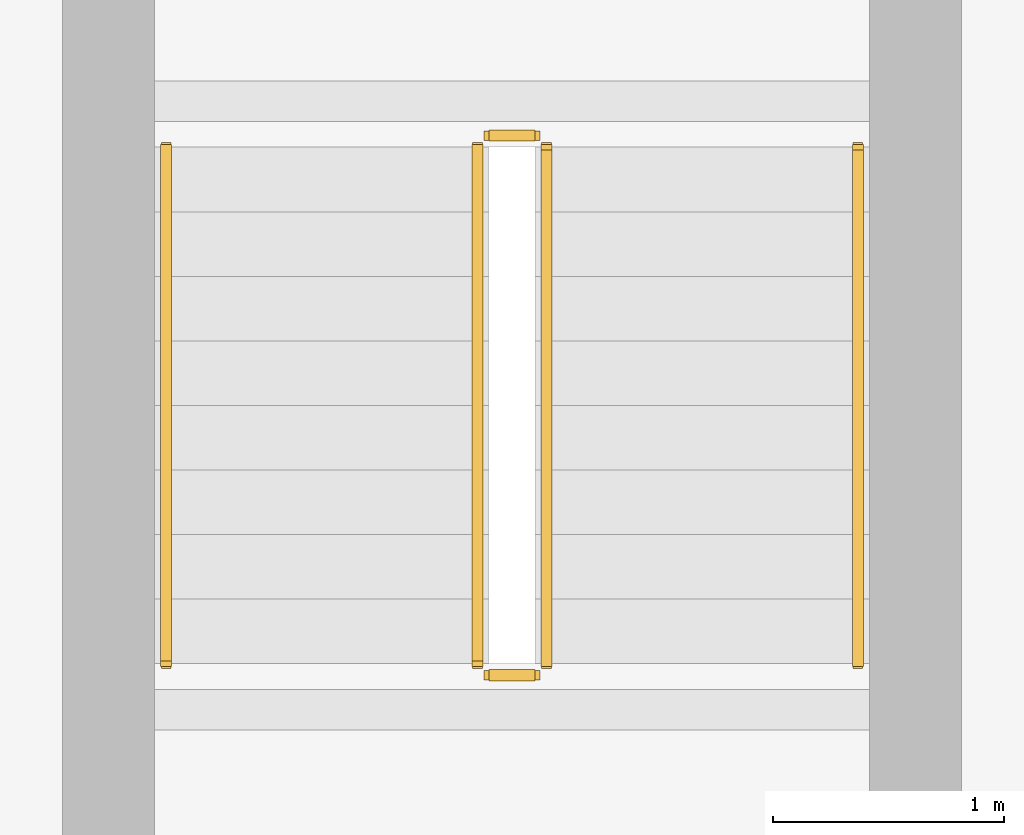
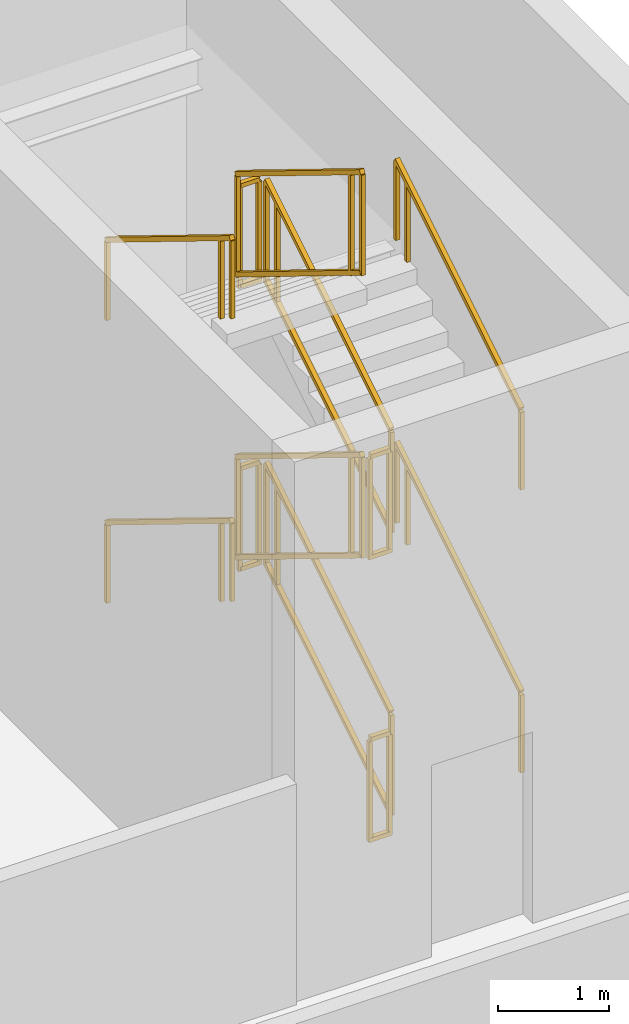
# One storey, part 41 of 41: 12 railings.
"""IFC4 building model written with IfcOpenShell, lengths in metres."""

import ifcopenshell
import ifcopenshell.guid

model = None  # the IFC model being written
_history = None  # IfcOwnerHistory: only IFC2X3 demands one
_inside = {}  # id of a spatial element -> (the spatial element, [elements in it])
_under = {}  # id of a project, library or spatial element -> (it, [spatial elements below it])
_declared = {}  # id of a project -> (the project, [libraries it declares])
_typed = {}  # id of a type object -> (the type object, [elements of that type])
_made_of = {}  # id of a material, layer set ... -> (it, [elements and type objects made of it])


def new_model(schema):
    """Start an empty IFC model of exactly this schema.

    Asked for "IFC4X3", IfcOpenShell would pick the latest addendum, in which some entities
    have other attributes; the version numbers below select the first issue.
    IFC2X3 requires an IfcOwnerHistory on every rooted entity: one is made here for all.
    """
    global model, _history
    if schema == "IFC4X3":
        model = ifcopenshell.file(schema_version=(4, 3, 0, 0))
    else:
        model = ifcopenshell.file(schema=schema)
    _inside.clear()
    _under.clear()
    _declared.clear()
    _typed.clear()
    _made_of.clear()
    _history = None
    if model.schema == "IFC2X3":
        org = make("IfcOrganization", Name="unknown")
        user = make(
            "IfcPersonAndOrganization",
            ThePerson=make("IfcPerson", FamilyName="unknown"),
            TheOrganization=org,
        )
        app = make(
            "IfcApplication",
            ApplicationDeveloper=org,
            Version="unknown",
            ApplicationFullName="unknown",
            ApplicationIdentifier="unknown",
        )
        _history = make(
            "IfcOwnerHistory",
            OwningUser=user,
            OwningApplication=app,
            ChangeAction="ADDED",
            CreationDate=0,
        )
    return model


def make(cls, **values):
    """One entity of the class cls with the attributes given. An attribute that is None is left unset."""
    return model.create_entity(
        cls, **{name: value for name, value in values.items() if value is not None}
    )


def rooted(cls, **values):
    """An entity with a GlobalId (a new one), such as an element, a storey or a relation."""
    return make(cls, GlobalId=ifcopenshell.guid.new(), OwnerHistory=_history, **values)


def si_unit(unit_type, name, prefix=None):
    """IfcSIUnit, for example si_unit("LENGTHUNIT", "METRE", prefix="MILLI")."""
    return make("IfcSIUnit", UnitType=unit_type, Prefix=prefix, Name=name)


def assignment(units):
    """IfcUnitAssignment: the units of a project."""
    return None if units is None else make("IfcUnitAssignment", Units=units)


def point(xyz):
    """IfcCartesianPoint."""
    return None if xyz is None else make("IfcCartesianPoint", Coordinates=xyz)


def direction(xyz):
    """IfcDirection."""
    return None if xyz is None else make("IfcDirection", DirectionRatios=xyz)


def frame(location, z_axis=None, x_axis=None):
    """IfcAxis2Placement3D, a coordinate frame: its origin and axes. An axis left out is left unset."""
    return make(
        "IfcAxis2Placement3D",
        Location=point(location),
        Axis=direction(z_axis),
        RefDirection=direction(x_axis),
    )


def frame_2d(location, x_axis=None):
    """IfcAxis2Placement2D, a coordinate frame in the plane: its origin and x axis."""
    return make(
        "IfcAxis2Placement2D", Location=point(location), RefDirection=direction(x_axis)
    )


def origin():
    """The frame at (0, 0, 0) with its axes left unset."""
    return frame((0.0, 0.0, 0.0))


def origin_2d():
    """The frame at (0, 0) in the plane with its x axis left unset."""
    return frame_2d((0.0, 0.0))


def place(relative_to, where):
    """IfcLocalPlacement: puts the frame where relative to a parent placement (None: the world)."""
    return make(
        "IfcLocalPlacement", PlacementRelTo=relative_to, RelativePlacement=where
    )


def context(
    kind, dimensions, precision=None, world=None, true_north=None, identifier=None
):
    """IfcGeometricRepresentationContext, for example the 3D "Model" context."""
    return make(
        "IfcGeometricRepresentationContext",
        ContextIdentifier=identifier,
        ContextType=kind,
        CoordinateSpaceDimension=dimensions,
        Precision=precision,
        WorldCoordinateSystem=world,
        TrueNorth=true_north,
    )


def subcontext(parent, identifier, kind, view, scale=None):
    """IfcGeometricRepresentationSubContext, for example "Body" below "Model"."""
    return make(
        "IfcGeometricRepresentationSubContext",
        ContextIdentifier=identifier,
        ContextType=kind,
        ParentContext=parent,
        TargetScale=scale,
        TargetView=view,
    )


def project(units=None, contexts=None):
    """IfcProject with its units and contexts."""
    return rooted(
        "IfcProject",
        Name="project",
        RepresentationContexts=contexts,
        UnitsInContext=assignment(units),
    )


def spatial(cls, under=None, at=None, **own):
    """A site, building, storey or space (cls), placed at a placement, below another one or the project."""
    s = rooted(cls, ObjectPlacement=at, **own)
    if under is not None:
        _under.setdefault(under.id(), (under, []))[1].append(s)
    return s


def profile(cls, at=None, kind="AREA", **sizes):
    """A parametric profile (cls). Its sizes go by their IFC names, for example OverallWidth=200.0."""
    return make(cls, ProfileType=kind, Position=at, **sizes)


def rectangle(**sizes):
    """IfcRectangleProfileDef."""
    return profile("IfcRectangleProfileDef", **sizes)


def extrude(swept, where, along, depth):
    """IfcExtrudedAreaSolid: the profile swept, set in the frame where, extruded along a direction by depth."""
    return make(
        "IfcExtrudedAreaSolid",
        SweptArea=swept,
        Position=where,
        ExtrudedDirection=direction(along),
        Depth=depth,
    )


def shape(context_of_items, identifier, shape_type, items):
    """IfcShapeRepresentation: the items that make up one representation, for example the "Body"."""
    return make(
        "IfcShapeRepresentation",
        ContextOfItems=context_of_items,
        RepresentationIdentifier=identifier,
        RepresentationType=shape_type,
        Items=items,
    )


def material(Name=None, Category=None):
    """IfcMaterial."""
    return make("IfcMaterial", Name=Name, Category=Category)


def made_of(thing, what):
    """Note that an element or type object is made of a material, layer set ...; save() writes the relation."""
    if what is not None:
        _made_of.setdefault(what.id(), (what, []))[1].append(thing)
    return thing


def type_object(cls, material=None, **own):
    """A type object (cls), such as IfcWallType, which elements share."""
    return made_of(rooted(cls, **own), material)


def element(
    cls,
    number,
    at=None,
    inside=None,
    cuts=None,
    type_object=None,
    material=None,
    context=None,
    identifier="Body",
    shape_type=None,
    held_by="IfcProductDefinitionShape",
    body=None,
    shapes=None,
    **own,
):
    """One element of the class cls, such as IfcWall. Its Tag is "e" and its number.

    at: its placement. inside: the storey or other place that contains it. cuts: it is an
    opening in that element (IfcRelVoidsElement). A single representation is given by context,
    identifier, shape_type and body (its items); several are given by shapes. held_by: the class
    of the entity that holds the representations. save() writes the other relations.
    """
    e = rooted(cls, Tag="e%d" % number, ObjectPlacement=at, **own)
    if body is not None:
        shapes = [shape(context, identifier, shape_type, body)]
    if shapes is not None:
        e.Representation = make(held_by, Representations=shapes)
    if inside is not None:
        _inside.setdefault(inside.id(), (inside, []))[1].append(e)
    if cuts is not None:
        rooted(
            "IfcRelVoidsElement", RelatingBuildingElement=cuts, RelatedOpeningElement=e
        )
    if type_object is not None:
        _typed.setdefault(type_object.id(), (type_object, []))[1].append(e)
    return made_of(e, material)


def aggregate(whole, parts):
    """IfcRelAggregates: a whole, such as a stair, and the parts it consists of."""
    return rooted("IfcRelAggregates", RelatingObject=whole, RelatedObjects=parts)


def save(model, path):
    """Write the relations noted so far, then the file.

    IfcRelAggregates (storeys below a building ...), IfcRelContainedInSpatialStructure (elements
    in a storey), IfcRelDefinesByType, IfcRelAssociatesMaterial and IfcRelDeclares: one each for
    every whole, place, type object, material and project.
    """
    for whole, parts in _under.values():
        aggregate(whole, parts)
    for where, things in _inside.values():
        rooted(
            "IfcRelContainedInSpatialStructure",
            RelatedElements=things,
            RelatingStructure=where,
        )
    for kind, things in _typed.values():
        rooted("IfcRelDefinesByType", RelatedObjects=things, RelatingType=kind)
    for what, things in _made_of.values():
        rooted("IfcRelAssociatesMaterial", RelatedObjects=things, RelatingMaterial=what)
    for by, libraries in _declared.values():
        rooted("IfcRelDeclares", RelatingContext=by, RelatedDefinitions=libraries)
    model.write(path)


model = new_model("IFC4")

# Units and contexts
model_context = context("Model", 3, precision=1e-05, world=origin(), true_north=direction((0.0, 1.0)))
body_context = subcontext(model_context, "Body", "Model", "MODEL_VIEW")
ifc_project = project(units=[si_unit("LENGTHUNIT", "METRE"), si_unit("AREAUNIT", "SQUARE_METRE"), si_unit("VOLUMEUNIT", "CUBIC_METRE"), si_unit("PLANEANGLEUNIT", "RADIAN"), si_unit("MASSUNIT", "GRAM", prefix="KILO"), si_unit("THERMODYNAMICTEMPERATUREUNIT", "KELVIN"), si_unit("POWERUNIT", "WATT")], contexts=[model_context])

# Site, building, storey
site_placement = place(None, origin())
site = spatial("IfcSite", under=ifc_project, at=site_placement, CompositionType="ELEMENT")
building_placement = place(site_placement, origin())
building = spatial("IfcBuilding", under=site, at=building_placement, Name="Yunzhuo Pagoda Commons", CompositionType="ELEMENT")
storey_placement = place(building_placement, frame((0.0, 0.0, 19.199951171875)))
storey = spatial("IfcBuildingStorey", under=building, at=storey_placement, Name="L05", CompositionType="ELEMENT", Elevation=19.199951171875)

# Railings
ifc_material = material(Name="Anodized aluminium 6063-T6", Category="aluminium")
railing_type_1 = type_object("IfcRailingType", Name="GR-PS4 Podium Well Guardrail 1165", PredefinedType="GUARDRAIL", material=ifc_material)
railing_1_placement = place(storey_placement, frame((88.39990234375, 44.300048828125, 0.17236328125)))
element("IfcRailing", 1, at=railing_1_placement, inside=storey, type_object=railing_type_1, Name="L05 PS4 stair guard 1", PredefinedType="GUARDRAIL", context=body_context, shape_type="SweptSolid", body=[
    extrude(rectangle(XDim=0.048095703125, YDim=0.048095703125, at=origin_2d()), frame((0.0, 0.0, 1.1259765625), z_axis=(0.0, 0.85178898068, 0.523885037382), x_axis=(-1.0, 0.0, 0.0)), (0.0, 0.0, 1.0), 2.629638671875),
    extrude(rectangle(XDim=0.048095703125, YDim=0.048095703125, at=origin_2d()), frame((0.0, 0.0, 0.02392578125), z_axis=(0.0, 0.85178898068, 0.523885037382), x_axis=(-1.0, 0.0, 0.0)), (0.0, 0.0, 1.0), 2.629638671875),
    extrude(rectangle(XDim=0.0419921875, YDim=0.0419921875, at=origin_2d()), origin(), (0.0, 0.0, 1.0), 1.101806640625),
    extrude(rectangle(XDim=0.0419921875, YDim=0.0419921875, at=origin_2d()), frame((0.0, 2.044189453125, 1.25732421875)), (0.0, 0.0, 1.0), 1.101806640625),
    extrude(rectangle(XDim=0.0419921875, YDim=0.0419921875, at=origin_2d()), frame((0.0, 2.239990234375, 1.377685546875)), (0.0, 0.0, 1.0), 1.101806640625),
])
railing_2_placement = place(storey_placement, frame((88.35009765625, 46.590087890625, 1.550048828125)))
element("IfcRailing", 2, at=railing_2_placement, inside=storey, type_object=railing_type_1, Name="L05 PS4 stair guard 2", PredefinedType="GUARDRAIL", context=body_context, shape_type="SweptSolid", body=[
    extrude(rectangle(XDim=0.048095703125, YDim=0.048095703125, at=origin_2d()), frame((0.0, 0.0, 1.1259765625), z_axis=(-1.0, 0.0, 0.0), x_axis=(0.0, -1.0, 0.0)), (0.0, 0.0, 1.0), 0.2001953125),
    extrude(rectangle(XDim=0.048095703125, YDim=0.048095703125, at=origin_2d()), frame((0.0, 0.0, 0.02392578125), z_axis=(-1.0, 0.0, 0.0), x_axis=(0.0, -1.0, 0.0)), (0.0, 0.0, 1.0), 0.2001953125),
    extrude(rectangle(XDim=0.0419921875, YDim=0.0419921875, at=origin_2d()), origin(), (0.0, 0.0, 1.0), 1.101806640625),
    extrude(rectangle(XDim=0.0419921875, YDim=0.0419921875, at=origin_2d()), frame((-0.2001953125, 0.0, 0.0)), (0.0, 0.0, 1.0), 1.101806640625),
])
railing_3_placement = place(storey_placement, frame((88.10009765625, 46.5400390625, 1.72216796875)))
element("IfcRailing", 3, at=railing_3_placement, inside=storey, type_object=railing_type_1, Name="L05 PS4 stair guard 3", PredefinedType="GUARDRAIL", context=body_context, shape_type="SweptSolid", body=[
    extrude(rectangle(XDim=0.048095703125, YDim=0.048095703125, at=origin_2d()), frame((0.0, 0.0, 1.1259765625), z_axis=(0.0, -0.851747552033, 0.523952390591), x_axis=(1.0, 0.0, 0.0)), (0.0, 0.0, 1.0), 2.6298828125),
    extrude(rectangle(XDim=0.048095703125, YDim=0.048095703125, at=origin_2d()), frame((0.0, 0.0, 0.02392578125), z_axis=(0.0, -0.851747552033, 0.523952390591), x_axis=(1.0, 0.0, 0.0)), (0.0, 0.0, 1.0), 2.6298828125),
    extrude(rectangle(XDim=0.0419921875, YDim=0.0419921875, at=origin_2d()), origin(), (0.0, 0.0, 1.0), 1.101806640625),
    extrude(rectangle(XDim=0.0419921875, YDim=0.0419921875, at=origin_2d()), frame((0.0, -2.044189453125, 1.257568359375)), (0.0, 0.0, 1.0), 1.101806640625),
    extrude(rectangle(XDim=0.0419921875, YDim=0.0419921875, at=origin_2d()), frame((0.0, -2.239990234375, 1.3779296875)), (0.0, 0.0, 1.0), 1.101806640625),
])
railing_4_placement = place(storey_placement, frame((88.35009765625, 44.25, 3.10009765625)))
element("IfcRailing", 4, at=railing_4_placement, inside=storey, type_object=railing_type_1, Name="L05 PS4 stair guard 4", PredefinedType="GUARDRAIL", context=body_context, shape_type="SweptSolid", body=[
    extrude(rectangle(XDim=0.048095703125, YDim=0.048095703125, at=origin_2d()), frame((0.0, 0.0, 1.1259765625), z_axis=(-1.0, 0.0, 0.0), x_axis=(0.0, -1.0, 0.0)), (0.0, 0.0, 1.0), 0.2001953125),
    extrude(rectangle(XDim=0.048095703125, YDim=0.048095703125, at=origin_2d()), frame((0.0, 0.0, 0.02392578125), z_axis=(-1.0, 0.0, 0.0), x_axis=(0.0, -1.0, 0.0)), (0.0, 0.0, 1.0), 0.2001953125),
    extrude(rectangle(XDim=0.0419921875, YDim=0.0419921875, at=origin_2d()), origin(), (0.0, 0.0, 1.0), 1.101806640625),
    extrude(rectangle(XDim=0.0419921875, YDim=0.0419921875, at=origin_2d()), frame((-0.2001953125, 0.0, 0.0)), (0.0, 0.0, 1.0), 1.101806640625),
])
railing_5_placement = place(storey_placement, frame((88.39990234375, 44.300048828125, 3.272216796875)))
element("IfcRailing", 5, at=railing_5_placement, inside=storey, type_object=railing_type_1, Name="L05 PS4 stair guard 5", PredefinedType="GUARDRAIL", context=body_context, shape_type="SweptSolid", body=[
    extrude(rectangle(XDim=0.048095703125, YDim=0.048095703125, at=origin_2d()), frame((0.0, 0.0, 1.1259765625), z_axis=(0.0, 0.851747552033, 0.523952390591), x_axis=(-1.0, 0.0, 0.0)), (0.0, 0.0, 1.0), 2.6298828125),
    extrude(rectangle(XDim=0.048095703125, YDim=0.048095703125, at=origin_2d()), frame((0.0, 0.0, 0.02392578125), z_axis=(0.0, 0.851747552033, 0.523952390591), x_axis=(-1.0, 0.0, 0.0)), (0.0, 0.0, 1.0), 2.6298828125),
    extrude(rectangle(XDim=0.0419921875, YDim=0.0419921875, at=origin_2d()), origin(), (0.0, 0.0, 1.0), 1.101806640625),
    extrude(rectangle(XDim=0.0419921875, YDim=0.0419921875, at=origin_2d()), frame((0.0, 2.044189453125, 1.257568359375)), (0.0, 0.0, 1.0), 1.101806640625),
    extrude(rectangle(XDim=0.0419921875, YDim=0.0419921875, at=origin_2d()), frame((0.0, 2.239990234375, 1.3779296875)), (0.0, 0.0, 1.0), 1.101806640625),
])
railing_6_placement = place(storey_placement, frame((88.35009765625, 46.590087890625, 4.650146484375)))
element("IfcRailing", 6, at=railing_6_placement, inside=storey, type_object=railing_type_1, Name="L05 PS4 stair guard 6", PredefinedType="GUARDRAIL", context=body_context, shape_type="SweptSolid", body=[
    extrude(rectangle(XDim=0.048095703125, YDim=0.048095703125, at=origin_2d()), frame((0.0, 0.0, 1.1259765625), z_axis=(-1.0, 0.0, 0.0), x_axis=(0.0, -1.0, 0.0)), (0.0, 0.0, 1.0), 0.2001953125),
    extrude(rectangle(XDim=0.048095703125, YDim=0.048095703125, at=origin_2d()), frame((0.0, 0.0, 0.02392578125), z_axis=(-1.0, 0.0, 0.0), x_axis=(0.0, -1.0, 0.0)), (0.0, 0.0, 1.0), 0.2001953125),
    extrude(rectangle(XDim=0.0419921875, YDim=0.0419921875, at=origin_2d()), origin(), (0.0, 0.0, 1.0), 1.101806640625),
    extrude(rectangle(XDim=0.0419921875, YDim=0.0419921875, at=origin_2d()), frame((-0.2001953125, 0.0, 0.0)), (0.0, 0.0, 1.0), 1.101806640625),
])
railing_7_placement = place(storey_placement, frame((88.10009765625, 46.5400390625, 4.822265625)))
element("IfcRailing", 7, at=railing_7_placement, inside=storey, type_object=railing_type_1, Name="L05 PS4 stair guard 7", PredefinedType="GUARDRAIL", context=body_context, shape_type="SweptSolid", body=[
    extrude(rectangle(XDim=0.048095703125, YDim=0.048095703125, at=origin_2d()), frame((0.0, 0.0, 1.1259765625), z_axis=(0.0, -0.85178898068, 0.523885037382), x_axis=(1.0, 0.0, 0.0)), (0.0, 0.0, 1.0), 2.629638671875),
    extrude(rectangle(XDim=0.048095703125, YDim=0.048095703125, at=origin_2d()), frame((0.0, 0.0, 0.02392578125), z_axis=(0.0, -0.85178898068, 0.523885037382), x_axis=(1.0, 0.0, 0.0)), (0.0, 0.0, 1.0), 2.629638671875),
    extrude(rectangle(XDim=0.0419921875, YDim=0.0419921875, at=origin_2d()), origin(), (0.0, 0.0, 1.0), 1.101806640625),
    extrude(rectangle(XDim=0.0419921875, YDim=0.0419921875, at=origin_2d()), frame((0.0, -2.044189453125, 1.25732421875)), (0.0, 0.0, 1.0), 1.101806640625),
    extrude(rectangle(XDim=0.0419921875, YDim=0.0419921875, at=origin_2d()), frame((0.0, -2.239990234375, 1.377685546875)), (0.0, 0.0, 1.0), 1.101806640625),
])
railing_8_placement = place(storey_placement, frame((88.35009765625, 44.25, 0.0)))
element("IfcRailing", 8, at=railing_8_placement, inside=storey, type_object=railing_type_1, Name="L05 PS4 stair guard 8", PredefinedType="GUARDRAIL", context=body_context, shape_type="SweptSolid", body=[
    extrude(rectangle(XDim=0.048095703125, YDim=0.048095703125, at=origin_2d()), frame((0.0, 0.0, 1.1259765625), z_axis=(-1.0, 0.0, 0.0), x_axis=(0.0, -1.0, 0.0)), (0.0, 0.0, 1.0), 0.2001953125),
    extrude(rectangle(XDim=0.048095703125, YDim=0.048095703125, at=origin_2d()), frame((0.0, 0.0, 0.02392578125), z_axis=(-1.0, 0.0, 0.0), x_axis=(0.0, -1.0, 0.0)), (0.0, 0.0, 1.0), 0.2001953125),
    extrude(rectangle(XDim=0.0419921875, YDim=0.0419921875, at=origin_2d()), origin(), (0.0, 0.0, 1.0), 1.101806640625),
    extrude(rectangle(XDim=0.0419921875, YDim=0.0419921875, at=origin_2d()), frame((-0.2001953125, 0.0, 0.0)), (0.0, 0.0, 1.0), 1.101806640625),
])
railing_type_2 = type_object("IfcRailingType", Name="HR-PS4 Podium Stair Handrail 900", PredefinedType="HANDRAIL", material=ifc_material)
railing_9_placement = place(storey_placement, frame((89.75, 44.300048828125, 0.17236328125)))
element("IfcRailing", 9, at=railing_9_placement, inside=storey, type_object=railing_type_2, Name="L05 PS4 stair handrail 1", PredefinedType="HANDRAIL", context=body_context, shape_type="SweptSolid", body=[
    extrude(rectangle(XDim=0.048095703125, YDim=0.048095703125, at=origin_2d()), frame((0.0, 0.0, 0.8759765625), z_axis=(0.0, 0.85178898068, 0.523885037382), x_axis=(-1.0, 0.0, 0.0)), (0.0, 0.0, 1.0), 2.629638671875),
    extrude(rectangle(XDim=0.0419921875, YDim=0.0419921875, at=origin_2d()), origin(), (0.0, 0.0, 1.0), 0.851806640625),
    extrude(rectangle(XDim=0.0419921875, YDim=0.0419921875, at=origin_2d()), frame((0.0, 2.044189453125, 1.25732421875)), (0.0, 0.0, 1.0), 0.851806640625),
    extrude(rectangle(XDim=0.0419921875, YDim=0.0419921875, at=origin_2d()), frame((0.0, 2.239990234375, 1.377685546875)), (0.0, 0.0, 1.0), 0.851806640625),
])
railing_10_placement = place(storey_placement, frame((86.75, 46.5400390625, 1.72216796875)))
element("IfcRailing", 10, at=railing_10_placement, inside=storey, type_object=railing_type_2, Name="L05 PS4 stair handrail 2", PredefinedType="HANDRAIL", context=body_context, shape_type="SweptSolid", body=[
    extrude(rectangle(XDim=0.048095703125, YDim=0.048095703125, at=origin_2d()), frame((0.0, 0.0, 0.8759765625), z_axis=(0.0, -0.851747552033, 0.523952390591), x_axis=(1.0, 0.0, 0.0)), (0.0, 0.0, 1.0), 2.6298828125),
    extrude(rectangle(XDim=0.0419921875, YDim=0.0419921875, at=origin_2d()), origin(), (0.0, 0.0, 1.0), 0.851806640625),
    extrude(rectangle(XDim=0.0419921875, YDim=0.0419921875, at=origin_2d()), frame((0.0, -2.044189453125, 1.257568359375)), (0.0, 0.0, 1.0), 0.851806640625),
    extrude(rectangle(XDim=0.0419921875, YDim=0.0419921875, at=origin_2d()), frame((0.0, -2.239990234375, 1.3779296875)), (0.0, 0.0, 1.0), 0.851806640625),
])
railing_11_placement = place(storey_placement, frame((89.75, 44.300048828125, 3.272216796875)))
element("IfcRailing", 11, at=railing_11_placement, inside=storey, type_object=railing_type_2, Name="L05 PS4 stair handrail 3", PredefinedType="HANDRAIL", context=body_context, shape_type="SweptSolid", body=[
    extrude(rectangle(XDim=0.048095703125, YDim=0.048095703125, at=origin_2d()), frame((0.0, 0.0, 0.8759765625), z_axis=(0.0, 0.851747552033, 0.523952390591), x_axis=(-1.0, 0.0, 0.0)), (0.0, 0.0, 1.0), 2.6298828125),
    extrude(rectangle(XDim=0.0419921875, YDim=0.0419921875, at=origin_2d()), origin(), (0.0, 0.0, 1.0), 0.851806640625),
    extrude(rectangle(XDim=0.0419921875, YDim=0.0419921875, at=origin_2d()), frame((0.0, 2.044189453125, 1.257568359375)), (0.0, 0.0, 1.0), 0.851806640625),
    extrude(rectangle(XDim=0.0419921875, YDim=0.0419921875, at=origin_2d()), frame((0.0, 2.239990234375, 1.3779296875)), (0.0, 0.0, 1.0), 0.851806640625),
])
railing_12_placement = place(storey_placement, frame((86.75, 46.5400390625, 4.822265625)))
element("IfcRailing", 12, at=railing_12_placement, inside=storey, type_object=railing_type_2, Name="L05 PS4 stair handrail 4", PredefinedType="HANDRAIL", context=body_context, shape_type="SweptSolid", body=[
    extrude(rectangle(XDim=0.048095703125, YDim=0.048095703125, at=origin_2d()), frame((0.0, 0.0, 0.8759765625), z_axis=(0.0, -0.85178898068, 0.523885037382), x_axis=(1.0, 0.0, 0.0)), (0.0, 0.0, 1.0), 2.629638671875),
    extrude(rectangle(XDim=0.0419921875, YDim=0.0419921875, at=origin_2d()), origin(), (0.0, 0.0, 1.0), 0.851806640625),
    extrude(rectangle(XDim=0.0419921875, YDim=0.0419921875, at=origin_2d()), frame((0.0, -2.044189453125, 1.25732421875)), (0.0, 0.0, 1.0), 0.851806640625),
    extrude(rectangle(XDim=0.0419921875, YDim=0.0419921875, at=origin_2d()), frame((0.0, -2.239990234375, 1.377685546875)), (0.0, 0.0, 1.0), 0.851806640625),
])

save(model, "model.ifc")
